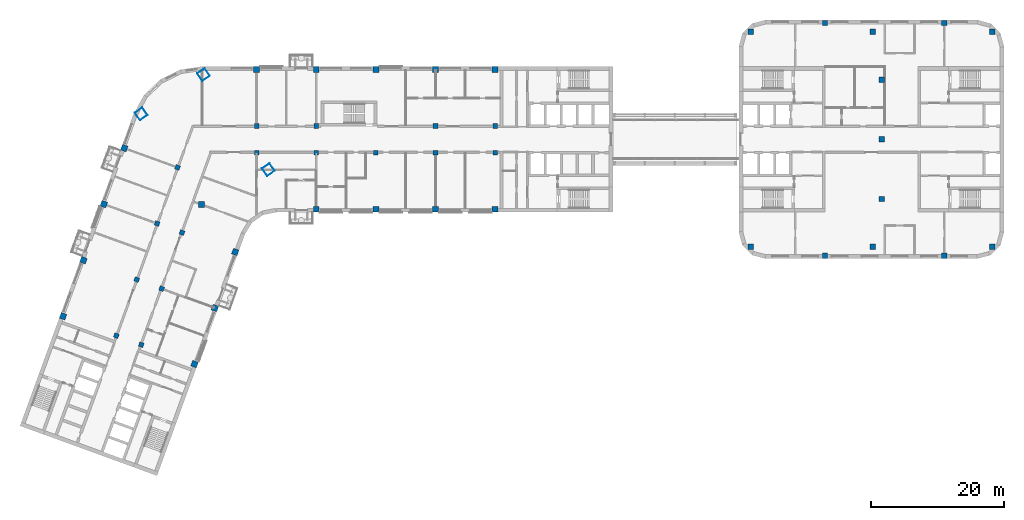
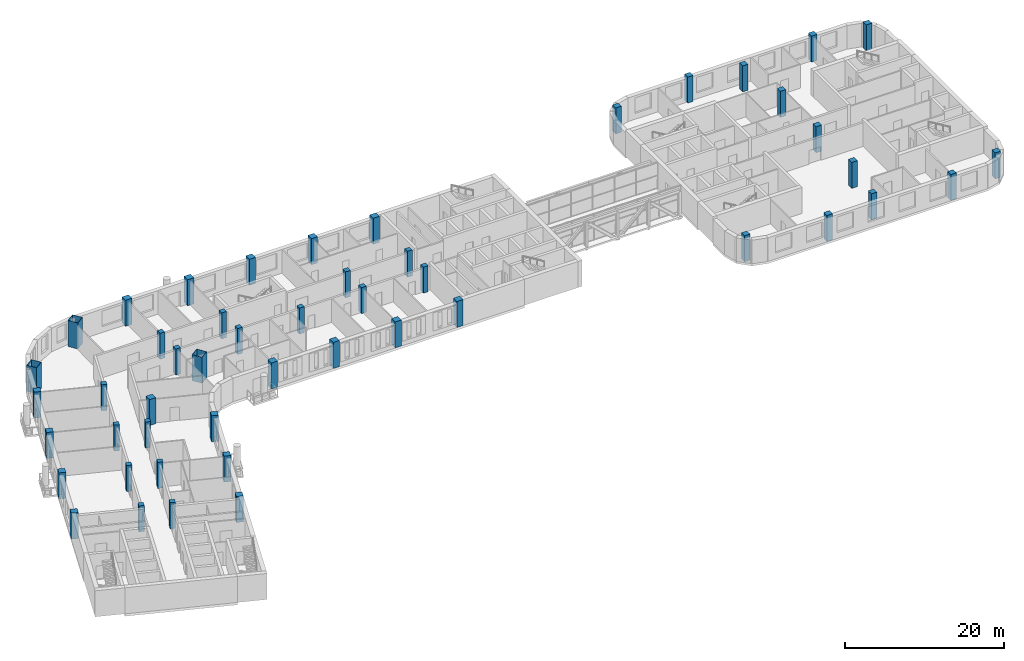
# One storey, part 1 of 18: 49 columns.
"""IFC4 building model written with IfcOpenShell, lengths in metres."""

import ifcopenshell
import ifcopenshell.guid

model = None  # the IFC model being written
_history = None  # IfcOwnerHistory: only IFC2X3 demands one
_inside = {}  # id of a spatial element -> (the spatial element, [elements in it])
_under = {}  # id of a project, library or spatial element -> (it, [spatial elements below it])
_declared = {}  # id of a project -> (the project, [libraries it declares])
_typed = {}  # id of a type object -> (the type object, [elements of that type])
_made_of = {}  # id of a material, layer set ... -> (it, [elements and type objects made of it])


def new_model(schema):
    """Start an empty IFC model of exactly this schema.

    Asked for "IFC4X3", IfcOpenShell would pick the latest addendum, in which some entities
    have other attributes; the version numbers below select the first issue.
    IFC2X3 requires an IfcOwnerHistory on every rooted entity: one is made here for all.
    """
    global model, _history
    if schema == "IFC4X3":
        model = ifcopenshell.file(schema_version=(4, 3, 0, 0))
    else:
        model = ifcopenshell.file(schema=schema)
    _inside.clear()
    _under.clear()
    _declared.clear()
    _typed.clear()
    _made_of.clear()
    _history = None
    if model.schema == "IFC2X3":
        org = make("IfcOrganization", Name="unknown")
        user = make(
            "IfcPersonAndOrganization",
            ThePerson=make("IfcPerson", FamilyName="unknown"),
            TheOrganization=org,
        )
        app = make(
            "IfcApplication",
            ApplicationDeveloper=org,
            Version="unknown",
            ApplicationFullName="unknown",
            ApplicationIdentifier="unknown",
        )
        _history = make(
            "IfcOwnerHistory",
            OwningUser=user,
            OwningApplication=app,
            ChangeAction="ADDED",
            CreationDate=0,
        )
    return model


def make(cls, **values):
    """One entity of the class cls with the attributes given. An attribute that is None is left unset."""
    return model.create_entity(
        cls, **{name: value for name, value in values.items() if value is not None}
    )


def rooted(cls, **values):
    """An entity with a GlobalId (a new one), such as an element, a storey or a relation."""
    return make(cls, GlobalId=ifcopenshell.guid.new(), OwnerHistory=_history, **values)


def si_unit(unit_type, name, prefix=None):
    """IfcSIUnit, for example si_unit("LENGTHUNIT", "METRE", prefix="MILLI")."""
    return make("IfcSIUnit", UnitType=unit_type, Prefix=prefix, Name=name)


def assignment(units):
    """IfcUnitAssignment: the units of a project."""
    return None if units is None else make("IfcUnitAssignment", Units=units)


def point(xyz):
    """IfcCartesianPoint."""
    return None if xyz is None else make("IfcCartesianPoint", Coordinates=xyz)


def direction(xyz):
    """IfcDirection."""
    return None if xyz is None else make("IfcDirection", DirectionRatios=xyz)


def frame(location, z_axis=None, x_axis=None):
    """IfcAxis2Placement3D, a coordinate frame: its origin and axes. An axis left out is left unset."""
    return make(
        "IfcAxis2Placement3D",
        Location=point(location),
        Axis=direction(z_axis),
        RefDirection=direction(x_axis),
    )


def frame_2d(location, x_axis=None):
    """IfcAxis2Placement2D, a coordinate frame in the plane: its origin and x axis."""
    return make(
        "IfcAxis2Placement2D", Location=point(location), RefDirection=direction(x_axis)
    )


def origin():
    """The frame at (0, 0, 0) with its axes left unset."""
    return frame((0.0, 0.0, 0.0))


def origin_2d():
    """The frame at (0, 0) in the plane with its x axis left unset."""
    return frame_2d((0.0, 0.0))


def place(relative_to, where):
    """IfcLocalPlacement: puts the frame where relative to a parent placement (None: the world)."""
    return make(
        "IfcLocalPlacement", PlacementRelTo=relative_to, RelativePlacement=where
    )


def context(
    kind, dimensions, precision=None, world=None, true_north=None, identifier=None
):
    """IfcGeometricRepresentationContext, for example the 3D "Model" context."""
    return make(
        "IfcGeometricRepresentationContext",
        ContextIdentifier=identifier,
        ContextType=kind,
        CoordinateSpaceDimension=dimensions,
        Precision=precision,
        WorldCoordinateSystem=world,
        TrueNorth=true_north,
    )


def subcontext(parent, identifier, kind, view, scale=None):
    """IfcGeometricRepresentationSubContext, for example "Body" below "Model"."""
    return make(
        "IfcGeometricRepresentationSubContext",
        ContextIdentifier=identifier,
        ContextType=kind,
        ParentContext=parent,
        TargetScale=scale,
        TargetView=view,
    )


def project(units=None, contexts=None):
    """IfcProject with its units and contexts."""
    return rooted(
        "IfcProject",
        Name="project",
        RepresentationContexts=contexts,
        UnitsInContext=assignment(units),
    )


def spatial(cls, under=None, at=None, **own):
    """A site, building, storey or space (cls), placed at a placement, below another one or the project."""
    s = rooted(cls, ObjectPlacement=at, **own)
    if under is not None:
        _under.setdefault(under.id(), (under, []))[1].append(s)
    return s


def profile(cls, at=None, kind="AREA", **sizes):
    """A parametric profile (cls). Its sizes go by their IFC names, for example OverallWidth=200.0."""
    return make(cls, ProfileType=kind, Position=at, **sizes)


def rectangle(**sizes):
    """IfcRectangleProfileDef."""
    return profile("IfcRectangleProfileDef", **sizes)


def hollow_rectangle(**sizes):
    """IfcRectangleHollowProfileDef."""
    return profile("IfcRectangleHollowProfileDef", **sizes)


def extrude(swept, where, along, depth):
    """IfcExtrudedAreaSolid: the profile swept, set in the frame where, extruded along a direction by depth."""
    return make(
        "IfcExtrudedAreaSolid",
        SweptArea=swept,
        Position=where,
        ExtrudedDirection=direction(along),
        Depth=depth,
    )


def shape(context_of_items, identifier, shape_type, items):
    """IfcShapeRepresentation: the items that make up one representation, for example the "Body"."""
    return make(
        "IfcShapeRepresentation",
        ContextOfItems=context_of_items,
        RepresentationIdentifier=identifier,
        RepresentationType=shape_type,
        Items=items,
    )


def material(Name=None, Category=None):
    """IfcMaterial."""
    return make("IfcMaterial", Name=Name, Category=Category)


def material_profile(
    of_material, cross_section, Name=None, Category=None, Priority=None
):
    """IfcMaterialProfile: a cross section and its material."""
    return make(
        "IfcMaterialProfile",
        Name=Name,
        Material=of_material,
        Profile=cross_section,
        Priority=Priority,
        Category=Category,
    )


def profile_set(profiles, Name=None, composite=None):
    """IfcMaterialProfileSet."""
    return make(
        "IfcMaterialProfileSet",
        Name=Name,
        MaterialProfiles=profiles,
        CompositeProfile=composite,
    )


def made_of(thing, what):
    """Note that an element or type object is made of a material, layer set ...; save() writes the relation."""
    if what is not None:
        _made_of.setdefault(what.id(), (what, []))[1].append(thing)
    return thing


def type_object(cls, material=None, **own):
    """A type object (cls), such as IfcWallType, which elements share."""
    return made_of(rooted(cls, **own), material)


def element(
    cls,
    number,
    at=None,
    inside=None,
    cuts=None,
    type_object=None,
    material=None,
    context=None,
    identifier="Body",
    shape_type=None,
    held_by="IfcProductDefinitionShape",
    body=None,
    shapes=None,
    **own,
):
    """One element of the class cls, such as IfcWall. Its Tag is "e" and its number.

    at: its placement. inside: the storey or other place that contains it. cuts: it is an
    opening in that element (IfcRelVoidsElement). A single representation is given by context,
    identifier, shape_type and body (its items); several are given by shapes. held_by: the class
    of the entity that holds the representations. save() writes the other relations.
    """
    e = rooted(cls, Tag="e%d" % number, ObjectPlacement=at, **own)
    if body is not None:
        shapes = [shape(context, identifier, shape_type, body)]
    if shapes is not None:
        e.Representation = make(held_by, Representations=shapes)
    if inside is not None:
        _inside.setdefault(inside.id(), (inside, []))[1].append(e)
    if cuts is not None:
        rooted(
            "IfcRelVoidsElement", RelatingBuildingElement=cuts, RelatedOpeningElement=e
        )
    if type_object is not None:
        _typed.setdefault(type_object.id(), (type_object, []))[1].append(e)
    return made_of(e, material)


def aggregate(whole, parts):
    """IfcRelAggregates: a whole, such as a stair, and the parts it consists of."""
    return rooted("IfcRelAggregates", RelatingObject=whole, RelatedObjects=parts)


def save(model, path):
    """Write the relations noted so far, then the file.

    IfcRelAggregates (storeys below a building ...), IfcRelContainedInSpatialStructure (elements
    in a storey), IfcRelDefinesByType, IfcRelAssociatesMaterial and IfcRelDeclares: one each for
    every whole, place, type object, material and project.
    """
    for whole, parts in _under.values():
        aggregate(whole, parts)
    for where, things in _inside.values():
        rooted(
            "IfcRelContainedInSpatialStructure",
            RelatedElements=things,
            RelatingStructure=where,
        )
    for kind, things in _typed.values():
        rooted("IfcRelDefinesByType", RelatedObjects=things, RelatingType=kind)
    for what, things in _made_of.values():
        rooted("IfcRelAssociatesMaterial", RelatedObjects=things, RelatingMaterial=what)
    for by, libraries in _declared.values():
        rooted("IfcRelDeclares", RelatingContext=by, RelatedDefinitions=libraries)
    model.write(path)


model = new_model("IFC4")

# Units and contexts
model_context = context("Model", 3, precision=1e-05, world=origin(), true_north=direction((0.0, 1.0)))
body_context = subcontext(model_context, "Body", "Model", "MODEL_VIEW")
ifc_project = project(units=[si_unit("LENGTHUNIT", "METRE"), si_unit("AREAUNIT", "SQUARE_METRE"), si_unit("VOLUMEUNIT", "CUBIC_METRE"), si_unit("PLANEANGLEUNIT", "RADIAN"), si_unit("MASSUNIT", "GRAM", prefix="KILO")], contexts=[model_context])

# Site, building, storey
site_placement = place(None, origin())
site = spatial("IfcSite", under=ifc_project, at=site_placement, CompositionType="ELEMENT")
building_placement = place(site_placement, origin())
building = spatial("IfcBuilding", under=site, at=building_placement, Name="Skarvind Civic Tower", CompositionType="ELEMENT")
storey_placement = place(building_placement, frame((0.0, 0.0, 31.5)))
storey = spatial("IfcBuildingStorey", under=building, at=storey_placement, Name="L06", CompositionType="ELEMENT", Elevation=31.5)

# Columns
ifc_material_1 = material(Name="Concrete C60", Category="concrete")
ifc_material_profile_1 = material_profile(ifc_material_1, rectangle(XDim=0.699951171875, YDim=0.699951171875, at=origin_2d()), Name="RC-700x700")
ifc_profile_set_1 = profile_set([ifc_material_profile_1], Name="Concrete C60")
column_type_1 = type_object("IfcColumnType", Name="Column RC-700x700 C60", PredefinedType="COLUMN", material=ifc_profile_set_1)
for number, where, z_axis, x_axis, name in (
    (1, (54.25, 130.0, 0.0), (0.0, 0.0, 1.0), (1.0, 0.0, 0.0), "Column wing 1 north inner 02 L06"),
    (2, (63.25, 130.0, 0.0), (0.0, 0.0, 1.0), (1.0, 0.0, 0.0), "Column wing 1 north inner 03 L06"),
    (3, (81.25, 130.0, 0.0), (0.0, 0.0, 1.0), (1.0, 0.0, 0.0), "Column wing 1 north inner 05 L06"),
    (4, (90.25, 130.0, 0.0), (0.0, 0.0, 1.0), (1.0, 0.0, 0.0), "Column wing 1 north inner 06 L06"),
    (5, (54.25, 126.0, 0.0), (0.0, 0.0, 1.0), (1.0, 0.0, 0.0), "Column wing 1 south inner 02 L06"),
    (6, (63.25, 126.0, 0.0), (0.0, 0.0, 1.0), (1.0, 0.0, 0.0), "Column wing 1 south inner 03 L06"),
    (7, (72.25, 126.0, 0.0), (0.0, 0.0, 1.0), (1.0, 0.0, 0.0), "Column wing 1 south inner 04 L06"),
    (8, (81.25, 126.0, 0.0), (0.0, 0.0, 1.0), (1.0, 0.0, 0.0), "Column wing 1 south inner 05 L06"),
    (9, (90.25, 126.0, 0.0), (0.0, 0.0, 1.0), (1.0, 0.0, 0.0), "Column wing 1 south inner 06 L06"),
    (10, (43.005615234375, 113.92529296875, 0.0), (0.0, 0.0, 1.0), (-0.342020143326, -0.939692620786, 0.0), "Column wing 2 left inner 02 L06"),
    (11, (39.927490234375, 105.468017578125, 0.0), (0.0, 0.0, 1.0), (-0.342020143326, -0.939692620786, 0.0), "Column wing 2 left inner 03 L06"),
    (12, (36.84912109375, 97.010986328125, 0.0), (0.0, 0.0, 1.0), (-0.342020143326, -0.939692620786, 0.0), "Column wing 2 left inner 04 L06"),
    (13, (42.324951171875, 123.750732421875, 0.0), (0.0, 0.0, 1.0), (-0.342020143326, -0.939692620786, 0.0), "Column wing 2 right inner 01 L06"),
    (14, (39.246826171875, 115.29345703125, 0.0), (0.0, 0.0, 1.0), (-0.342020143326, -0.939692620786, 0.0), "Column wing 2 right inner 02 L06"),
    (15, (36.168701171875, 106.836181640625, 0.0), (0.0, 0.0, 1.0), (-0.342020143326, -0.939692620786, 0.0), "Column wing 2 right inner 03 L06"),
    (16, (33.090576171875, 98.37890625, 0.0), (0.0, 0.0, 1.0), (-0.342020143326, -0.939692620786, 0.0), "Column wing 2 right inner 04 L06"),
):
    element("IfcColumn", number, at=place(storey_placement, frame(where, z_axis=z_axis, x_axis=x_axis)), inside=storey, type_object=column_type_1, Name=name, PredefinedType="COLUMN", context=body_context, shape_type="SweptSolid", body=[
        extrude(rectangle(XDim=0.699951171875, YDim=0.699951171875, at=origin_2d()), origin(), (0.0, 0.0, 1.0), 4.0),
    ])
ifc_material_profile_2 = material_profile(ifc_material_1, rectangle(XDim=0.800048828125, YDim=0.800048828125, at=origin_2d()), Name="RC-800x800")
ifc_profile_set_2 = profile_set([ifc_material_profile_2], Name="Concrete C60")
column_type_2 = type_object("IfcColumnType", Name="Column RC-800x800 C60", PredefinedType="COLUMN", material=ifc_profile_set_2)
for number, where, z_axis, x_axis, name in (
    (17, (128.777099609375, 144.222900390625, 0.0), (0.0, 0.0, 1.0), (1.0, 0.0, 0.0), "Column second tower north-west corner L06"),
    (18, (128.777099609375, 111.777099609375, 0.0), (0.0, 0.0, 1.0), (1.0, 0.0, 0.0), "Column second tower south-west corner L06"),
    (19, (148.550048828125, 119.0, 0.0), (0.0, 0.0, 1.0), (1.0, 0.0, 0.0), "Column second tower middle line 01 L06"),
    (20, (148.550048828125, 128.0, 0.0), (0.0, 0.0, 1.0), (1.0, 0.0, 0.0), "Column second tower middle line 02 L06"),
    (21, (148.550048828125, 137.0, 0.0), (0.0, 0.0, 1.0), (1.0, 0.0, 0.0), "Column second tower middle line 03 L06"),
    (22, (140.0, 145.550048828125, 0.0), (0.0, 0.0, 1.0), (1.0, 0.0, 0.0), "Column second tower north perimeter 02 L06"),
    (23, (147.222900390625, 144.222900390625, 0.0), (0.0, 0.0, 1.0), (1.0, 0.0, 0.0), "Column second tower north perimeter 03 L06"),
    (24, (140.0, 110.449951171875, 0.0), (0.0, 0.0, 1.0), (1.0, 0.0, 0.0), "Column second tower south perimeter 02 L06"),
    (25, (147.222900390625, 111.777099609375, 0.0), (0.0, 0.0, 1.0), (1.0, 0.0, 0.0), "Column second tower south perimeter 03 L06"),
    (26, (165.222900390625, 144.222900390625, 0.0), (0.0, 0.0, 1.0), (1.0, 0.0, 0.0), "Column second tower north-east corner L06"),
    (27, (165.222900390625, 111.777099609375, 0.0), (0.0, 0.0, 1.0), (1.0, 0.0, 0.0), "Column second tower south-east corner L06"),
    (28, (158.0, 145.550048828125, 0.0), (0.0, 0.0, 1.0), (1.0, 0.0, 0.0), "Column second tower north perimeter 04 L06"),
    (29, (158.0, 110.449951171875, 0.0), (0.0, 0.0, 1.0), (1.0, 0.0, 0.0), "Column second tower south perimeter 04 L06"),
):
    element("IfcColumn", number, at=place(storey_placement, frame(where, z_axis=z_axis, x_axis=x_axis)), inside=storey, type_object=column_type_2, Name=name, PredefinedType="COLUMN", context=body_context, shape_type="SweptSolid", body=[
        extrude(rectangle(XDim=0.800048828125, YDim=0.800048828125, at=origin_2d()), origin(), (0.0, 0.0, 1.0), 4.0),
    ])
ifc_material_2 = material(Name="Concrete C80", Category="concrete")
ifc_material_profile_3 = material_profile(ifc_material_2, rectangle(XDim=0.89990234375, YDim=0.89990234375, at=origin_2d()), Name="RC-900x900")
ifc_profile_set_3 = profile_set([ifc_material_profile_3], Name="Concrete C80")
column_type_3 = type_object("IfcColumnType", Name="Column RC-900x900 C80", PredefinedType="COLUMN", material=ifc_profile_set_3)
for number, where, z_axis, x_axis, name in (
    (30, (54.25, 138.550048828125, 0.0), (0.0, 0.0, 1.0), (1.0, 0.0, 0.0), "Column wing 1 north perimeter 02 L06"),
    (31, (63.25, 138.550048828125, 0.0), (0.0, 0.0, 1.0), (1.0, 0.0, 0.0), "Column wing 1 north perimeter 03 L06"),
    (32, (72.25, 138.550048828125, 0.0), (0.0, 0.0, 1.0), (1.0, 0.0, 0.0), "Column wing 1 north perimeter 04 L06"),
    (33, (81.25, 138.550048828125, 0.0), (0.0, 0.0, 1.0), (1.0, 0.0, 0.0), "Column wing 1 north perimeter 05 L06"),
    (34, (90.25, 138.550048828125, 0.0), (0.0, 0.0, 1.0), (1.0, 0.0, 0.0), "Column wing 1 north perimeter 06 L06"),
    (35, (45.95166015625, 118.151611328125, 0.0), (0.0, 0.0, 1.0), (1.0, 0.0, 0.0), "Column wing 1 south perimeter 01 L06"),
    (36, (63.25, 117.449951171875, 0.0), (0.0, 0.0, 1.0), (1.0, 0.0, 0.0), "Column wing 1 south perimeter 03 L06"),
    (37, (72.25, 117.449951171875, 0.0), (0.0, 0.0, 1.0), (1.0, 0.0, 0.0), "Column wing 1 south perimeter 04 L06"),
    (38, (81.25, 117.449951171875, 0.0), (0.0, 0.0, 1.0), (1.0, 0.0, 0.0), "Column wing 1 south perimeter 05 L06"),
    (39, (90.25, 117.449951171875, 0.0), (0.0, 0.0, 1.0), (1.0, 0.0, 0.0), "Column wing 1 south perimeter 06 L06"),
    (40, (51.0400390625, 111.0009765625, 0.0), (0.0, 0.0, 1.0), (-0.342020143326, -0.939692620786, 0.0), "Column wing 2 left perimeter 02 L06"),
    (41, (47.961669921875, 102.5439453125, 0.0), (0.0, 0.0, 1.0), (-0.342020143326, -0.939692620786, 0.0), "Column wing 2 left perimeter 03 L06"),
    (42, (44.883544921875, 94.086669921875, 0.0), (0.0, 0.0, 1.0), (-0.342020143326, -0.939692620786, 0.0), "Column wing 2 left perimeter 04 L06"),
    (43, (34.29052734375, 126.6748046875, 0.0), (0.0, 0.0, 1.0), (-0.342020143326, -0.939692620786, 0.0), "Column wing 2 right perimeter 01 L06"),
    (44, (31.21240234375, 118.2177734375, 0.0), (0.0, 0.0, 1.0), (-0.342020143326, -0.939692620786, 0.0), "Column wing 2 right perimeter 02 L06"),
    (45, (28.13427734375, 109.760498046875, 0.0), (0.0, 0.0, 1.0), (-0.342020143326, -0.939692620786, 0.0), "Column wing 2 right perimeter 03 L06"),
    (46, (25.05615234375, 101.30322265625, 0.0), (0.0, 0.0, 1.0), (-0.342020143326, -0.939692620786, 0.0), "Column wing 2 right perimeter 04 L06"),
):
    element("IfcColumn", number, at=place(storey_placement, frame(where, z_axis=z_axis, x_axis=x_axis)), inside=storey, type_object=column_type_3, Name=name, PredefinedType="COLUMN", context=body_context, shape_type="SweptSolid", body=[
        extrude(rectangle(XDim=0.89990234375, YDim=0.89990234375, at=origin_2d()), origin(), (0.0, 0.0, 1.0), 4.0),
    ])
ifc_material_3 = material(Name="Composite concrete-filled steel tube, Steel SM355 with Concrete C80", Category="concrete")
ifc_material_profile_4 = material_profile(ifc_material_3, hollow_rectangle(XDim=1.39990234375, YDim=1.39990234375, WallThickness=0.0400390625, at=origin_2d()), Name="BOX-1400x1400x40")
ifc_profile_set_4 = profile_set([ifc_material_profile_4], Name="Composite concrete-filled steel tube, Steel SM355 with Concrete C80")
column_type_4 = type_object("IfcColumnType", Name="Mega column BOX-1400x1400x40 filled C80", PredefinedType="COLUMN", material=ifc_profile_set_4)
for number, where, z_axis, x_axis, name in (
    (47, (36.845947265625, 131.837646484375, 0.0), (0.0, 0.0, 1.0), (0.573576436351, -0.819152044289, 0.0), "Mega column 1 L06"),
    (48, (46.2470703125, 137.762451171875, 0.0), (0.0, 0.0, 1.0), (0.573576436351, -0.819152044289, 0.0), "Mega column 2 L06"),
    (49, (56.0361328125, 123.43017578125, 0.0), (0.0, 0.0, 1.0), (0.573576436351, -0.819152044289, 0.0), "Mega column 4 L06"),
):
    element("IfcColumn", number, at=place(storey_placement, frame(where, z_axis=z_axis, x_axis=x_axis)), inside=storey, type_object=column_type_4, Name=name, PredefinedType="COLUMN", context=body_context, shape_type="SweptSolid", body=[
        extrude(hollow_rectangle(XDim=1.39990234375, YDim=1.39990234375, WallThickness=0.0400390625, at=origin_2d()), origin(), (0.0, 0.0, 1.0), 4.0),
    ])

save(model, "model.ifc")
